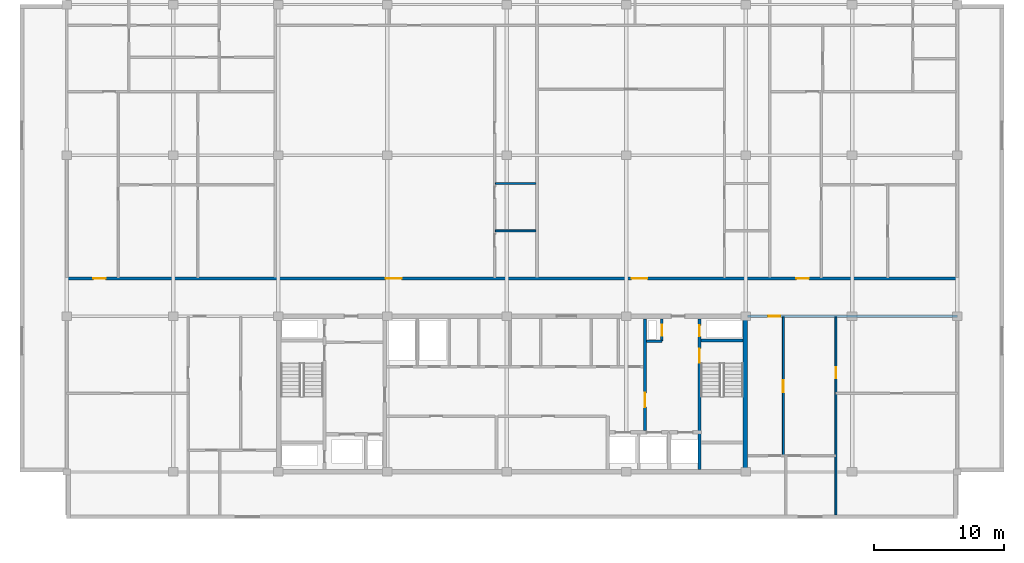
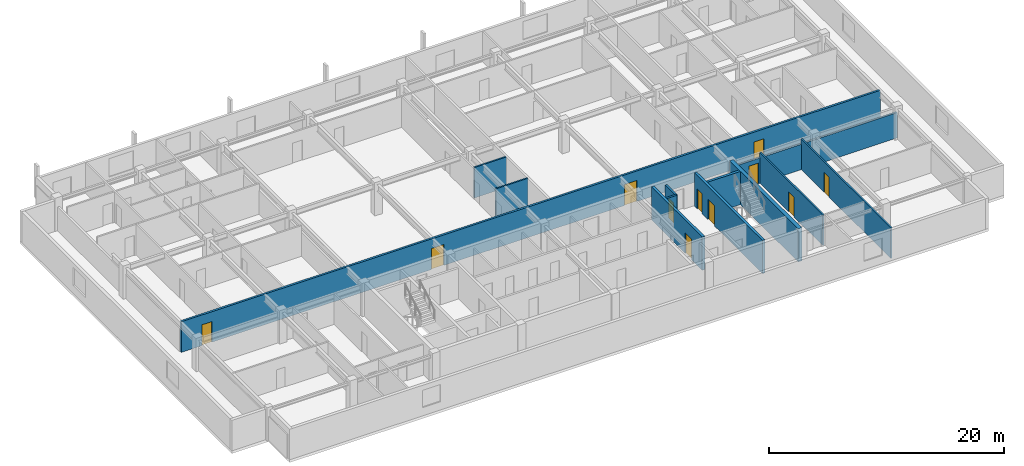
# One storey, part 5 of 10: 12 walls, 11 doors, 11 openings.
"""IFC4 building model written with IfcOpenShell, lengths in metres."""

import ifcopenshell
import ifcopenshell.guid

model = None  # the IFC model being written
_history = None  # IfcOwnerHistory: only IFC2X3 demands one
_inside = {}  # id of a spatial element -> (the spatial element, [elements in it])
_under = {}  # id of a project, library or spatial element -> (it, [spatial elements below it])
_declared = {}  # id of a project -> (the project, [libraries it declares])
_typed = {}  # id of a type object -> (the type object, [elements of that type])
_made_of = {}  # id of a material, layer set ... -> (it, [elements and type objects made of it])


def new_model(schema):
    """Start an empty IFC model of exactly this schema.

    Asked for "IFC4X3", IfcOpenShell would pick the latest addendum, in which some entities
    have other attributes; the version numbers below select the first issue.
    IFC2X3 requires an IfcOwnerHistory on every rooted entity: one is made here for all.
    """
    global model, _history
    if schema == "IFC4X3":
        model = ifcopenshell.file(schema_version=(4, 3, 0, 0))
    else:
        model = ifcopenshell.file(schema=schema)
    _inside.clear()
    _under.clear()
    _declared.clear()
    _typed.clear()
    _made_of.clear()
    _history = None
    if model.schema == "IFC2X3":
        org = make("IfcOrganization", Name="unknown")
        user = make(
            "IfcPersonAndOrganization",
            ThePerson=make("IfcPerson", FamilyName="unknown"),
            TheOrganization=org,
        )
        app = make(
            "IfcApplication",
            ApplicationDeveloper=org,
            Version="unknown",
            ApplicationFullName="unknown",
            ApplicationIdentifier="unknown",
        )
        _history = make(
            "IfcOwnerHistory",
            OwningUser=user,
            OwningApplication=app,
            ChangeAction="ADDED",
            CreationDate=0,
        )
    return model


def make(cls, **values):
    """One entity of the class cls with the attributes given. An attribute that is None is left unset."""
    return model.create_entity(
        cls, **{name: value for name, value in values.items() if value is not None}
    )


def rooted(cls, **values):
    """An entity with a GlobalId (a new one), such as an element, a storey or a relation."""
    return make(cls, GlobalId=ifcopenshell.guid.new(), OwnerHistory=_history, **values)


def si_unit(unit_type, name, prefix=None):
    """IfcSIUnit, for example si_unit("LENGTHUNIT", "METRE", prefix="MILLI")."""
    return make("IfcSIUnit", UnitType=unit_type, Prefix=prefix, Name=name)


def assignment(units):
    """IfcUnitAssignment: the units of a project."""
    return None if units is None else make("IfcUnitAssignment", Units=units)


def point(xyz):
    """IfcCartesianPoint."""
    return None if xyz is None else make("IfcCartesianPoint", Coordinates=xyz)


def direction(xyz):
    """IfcDirection."""
    return None if xyz is None else make("IfcDirection", DirectionRatios=xyz)


def frame(location, z_axis=None, x_axis=None):
    """IfcAxis2Placement3D, a coordinate frame: its origin and axes. An axis left out is left unset."""
    return make(
        "IfcAxis2Placement3D",
        Location=point(location),
        Axis=direction(z_axis),
        RefDirection=direction(x_axis),
    )


def frame_2d(location, x_axis=None):
    """IfcAxis2Placement2D, a coordinate frame in the plane: its origin and x axis."""
    return make(
        "IfcAxis2Placement2D", Location=point(location), RefDirection=direction(x_axis)
    )


def origin():
    """The frame at (0, 0, 0) with its axes left unset."""
    return frame((0.0, 0.0, 0.0))


def place(relative_to, where):
    """IfcLocalPlacement: puts the frame where relative to a parent placement (None: the world)."""
    return make(
        "IfcLocalPlacement", PlacementRelTo=relative_to, RelativePlacement=where
    )


def context(
    kind, dimensions, precision=None, world=None, true_north=None, identifier=None
):
    """IfcGeometricRepresentationContext, for example the 3D "Model" context."""
    return make(
        "IfcGeometricRepresentationContext",
        ContextIdentifier=identifier,
        ContextType=kind,
        CoordinateSpaceDimension=dimensions,
        Precision=precision,
        WorldCoordinateSystem=world,
        TrueNorth=true_north,
    )


def subcontext(parent, identifier, kind, view, scale=None):
    """IfcGeometricRepresentationSubContext, for example "Body" below "Model"."""
    return make(
        "IfcGeometricRepresentationSubContext",
        ContextIdentifier=identifier,
        ContextType=kind,
        ParentContext=parent,
        TargetScale=scale,
        TargetView=view,
    )


def project(units=None, contexts=None):
    """IfcProject with its units and contexts."""
    return rooted(
        "IfcProject",
        Name="project",
        RepresentationContexts=contexts,
        UnitsInContext=assignment(units),
    )


def spatial(cls, under=None, at=None, **own):
    """A site, building, storey or space (cls), placed at a placement, below another one or the project."""
    s = rooted(cls, ObjectPlacement=at, **own)
    if under is not None:
        _under.setdefault(under.id(), (under, []))[1].append(s)
    return s


def profile(cls, at=None, kind="AREA", **sizes):
    """A parametric profile (cls). Its sizes go by their IFC names, for example OverallWidth=200.0."""
    return make(cls, ProfileType=kind, Position=at, **sizes)


def rectangle(**sizes):
    """IfcRectangleProfileDef."""
    return profile("IfcRectangleProfileDef", **sizes)


def extrude(swept, where, along, depth):
    """IfcExtrudedAreaSolid: the profile swept, set in the frame where, extruded along a direction by depth."""
    return make(
        "IfcExtrudedAreaSolid",
        SweptArea=swept,
        Position=where,
        ExtrudedDirection=direction(along),
        Depth=depth,
    )


def shape(context_of_items, identifier, shape_type, items):
    """IfcShapeRepresentation: the items that make up one representation, for example the "Body"."""
    return make(
        "IfcShapeRepresentation",
        ContextOfItems=context_of_items,
        RepresentationIdentifier=identifier,
        RepresentationType=shape_type,
        Items=items,
    )


def material(Name=None, Category=None):
    """IfcMaterial."""
    return make("IfcMaterial", Name=Name, Category=Category)


def layer(
    of_material, thickness, ventilated=None, Name=None, Category=None, Priority=None
):
    """IfcMaterialLayer: one layer of a wall or slab, of a material (None: an air gap)."""
    return make(
        "IfcMaterialLayer",
        Material=of_material,
        LayerThickness=thickness,
        IsVentilated=ventilated,
        Name=Name,
        Category=Category,
        Priority=Priority,
    )


def layer_set(layers, Name=None):
    """IfcMaterialLayerSet."""
    return make("IfcMaterialLayerSet", MaterialLayers=layers, LayerSetName=Name)


def made_of(thing, what):
    """Note that an element or type object is made of a material, layer set ...; save() writes the relation."""
    if what is not None:
        _made_of.setdefault(what.id(), (what, []))[1].append(thing)
    return thing


def type_object(cls, material=None, **own):
    """A type object (cls), such as IfcWallType, which elements share."""
    return made_of(rooted(cls, **own), material)


def element(
    cls,
    number,
    at=None,
    inside=None,
    cuts=None,
    type_object=None,
    material=None,
    context=None,
    identifier="Body",
    shape_type=None,
    held_by="IfcProductDefinitionShape",
    body=None,
    shapes=None,
    **own,
):
    """One element of the class cls, such as IfcWall. Its Tag is "e" and its number.

    at: its placement. inside: the storey or other place that contains it. cuts: it is an
    opening in that element (IfcRelVoidsElement). A single representation is given by context,
    identifier, shape_type and body (its items); several are given by shapes. held_by: the class
    of the entity that holds the representations. save() writes the other relations.
    """
    e = rooted(cls, Tag="e%d" % number, ObjectPlacement=at, **own)
    if body is not None:
        shapes = [shape(context, identifier, shape_type, body)]
    if shapes is not None:
        e.Representation = make(held_by, Representations=shapes)
    if inside is not None:
        _inside.setdefault(inside.id(), (inside, []))[1].append(e)
    if cuts is not None:
        rooted(
            "IfcRelVoidsElement", RelatingBuildingElement=cuts, RelatedOpeningElement=e
        )
    if type_object is not None:
        _typed.setdefault(type_object.id(), (type_object, []))[1].append(e)
    return made_of(e, material)


def fill(opening, filler):
    """IfcRelFillsElement: the door or window that sits in an opening."""
    return rooted(
        "IfcRelFillsElement",
        RelatingOpeningElement=opening,
        RelatedBuildingElement=filler,
    )


def aggregate(whole, parts):
    """IfcRelAggregates: a whole, such as a stair, and the parts it consists of."""
    return rooted("IfcRelAggregates", RelatingObject=whole, RelatedObjects=parts)


def save(model, path):
    """Write the relations noted so far, then the file.

    IfcRelAggregates (storeys below a building ...), IfcRelContainedInSpatialStructure (elements
    in a storey), IfcRelDefinesByType, IfcRelAssociatesMaterial and IfcRelDeclares: one each for
    every whole, place, type object, material and project.
    """
    for whole, parts in _under.values():
        aggregate(whole, parts)
    for where, things in _inside.values():
        rooted(
            "IfcRelContainedInSpatialStructure",
            RelatedElements=things,
            RelatingStructure=where,
        )
    for kind, things in _typed.values():
        rooted("IfcRelDefinesByType", RelatedObjects=things, RelatingType=kind)
    for what, things in _made_of.values():
        rooted("IfcRelAssociatesMaterial", RelatedObjects=things, RelatingMaterial=what)
    for by, libraries in _declared.values():
        rooted("IfcRelDeclares", RelatingContext=by, RelatedDefinitions=libraries)
    model.write(path)


model = new_model("IFC4")

# Units and contexts
model_context = context("Model", 3, precision=1e-05, world=origin(), true_north=direction((0.0, 1.0)))
body_context = subcontext(model_context, "Body", "Model", "MODEL_VIEW")
ifc_project = project(units=[si_unit("LENGTHUNIT", "METRE"), si_unit("AREAUNIT", "SQUARE_METRE"), si_unit("VOLUMEUNIT", "CUBIC_METRE"), si_unit("PLANEANGLEUNIT", "RADIAN"), si_unit("MASSUNIT", "GRAM", prefix="KILO")], contexts=[model_context])

# Site, building, storey
site_placement = place(None, origin())
site = spatial("IfcSite", under=ifc_project, at=site_placement, CompositionType="ELEMENT")
building_placement = place(site_placement, origin())
building = spatial("IfcBuilding", under=site, at=building_placement, Name="Korimba Cascade Residences", CompositionType="ELEMENT")
storey_placement = place(building_placement, frame((0.0, 0.0, 242.449951171875)))
storey = spatial("IfcBuildingStorey", under=building, at=storey_placement, Name="L70", CompositionType="ELEMENT", Elevation=242.449951171875)

# Wall
ifc_material_1 = material(Name="Concrete C65/80", Category="concrete")
ifc_layer_1 = layer(ifc_material_1, 0.35009765625)
ifc_layer_set_1 = layer_set([ifc_layer_1], Name="Concrete C65/80")
wall_type_1 = type_object("IfcWallType", Name="WAL-CORE-350", PredefinedType="SHEAR", material=ifc_layer_set_1)
wall_1_placement = place(storey_placement, frame((112.074951171875, 55.375, 0.0), z_axis=(0.0, 0.0, 1.0), x_axis=(0.0, 1.0, 0.0)))
element("IfcWall", 1, at=wall_1_placement, inside=storey, type_object=wall_type_1, Name="L70 Core Shear Wall CW-L70-T1-E", PredefinedType="SHEAR", context=body_context, shape_type="SweptSolid", body=[
    extrude(rectangle(XDim=11.64990234375, YDim=0.35009765625, at=frame_2d((5.824951171875, 0.0))), origin(), (0.0, 0.0, 1.0), 3.449951171875),
])

# Wall, opening, door
ifc_material_2 = material(Name="Precast concrete C40/50", Category="concrete")
ifc_layer_2 = layer(ifc_material_2, 0.199951171875)
ifc_layer_set_2 = layer_set([ifc_layer_2], Name="Precast concrete C40/50")
wall_type_2 = type_object("IfcWallType", Name="WAL-IT-200", PredefinedType="PARTITIONING", material=ifc_layer_set_2)
wall_2_placement = place(storey_placement, frame((112.25, 67.199951171875, 0.0), z_axis=(0.0, 0.0, 1.0), x_axis=(1.0, 0.0, 0.0)))
wall_2 = element("IfcWall", 2, at=wall_2_placement, inside=storey, type_object=wall_type_2, Name="L70 Partition Wall WAL-L70-T1-FE-N", PredefinedType="PARTITIONING", context=body_context, shape_type="SweptSolid", body=[
    extrude(rectangle(XDim=16.14990234375, YDim=0.199951171875, at=frame_2d((8.074951171875, 0.0))), origin(), (0.0, 0.0, 1.0), 2.63330078125),
])
opening_1_placement = place(wall_2_placement, frame((1.580078125, 0.0, 0.0)))
opening_1 = element("IfcOpeningElement", 3, at=opening_1_placement, cuts=wall_2, Name="Opening D-UN1", PredefinedType="OPENING", context=body_context, shape_type="SweptSolid", body=[
    extrude(rectangle(XDim=0.949951171875, YDim=2.14990234375, at=frame_2d((0.47509765625, 1.074951171875))), frame((0.0, 0.10986328125, 0.0), z_axis=(0.0, -1.0, 0.0), x_axis=(1.0, 0.0, 0.0)), (0.0, 0.0, 1.0), 0.219970703125),
])
ifc_material_3 = material(Name="Fire-Rated Hardwood Apartment Entrance Door", Category="wood")
door_type_1 = type_object("IfcDoorType", Name="DR-FD60-950", OperationType="NOTDEFINED", PredefinedType="DOOR", material=ifc_material_3)
door_1_placement = place(opening_1_placement, origin())
door_1 = element("IfcDoor", 4, at=door_1_placement, inside=storey, type_object=door_type_1, Name="L70-T1-FE Entrance Door", OperationType="SINGLE_SWING_LEFT", OverallHeight=2.14990234375, OverallWidth=0.949951171875, PredefinedType="DOOR", context=body_context, shape_type="SweptSolid", body=[
    extrude(rectangle(XDim=0.949951171875, YDim=2.14990234375, at=frame_2d((0.47509765625, 1.074951171875))), frame((0.0, 0.02490234375, 0.0), z_axis=(0.0, -1.0, 0.0), x_axis=(1.0, 0.0, 0.0)), (0.0, 0.0, 1.0), 0.050048828125),
])
fill(opening_1, door_1)

# Wall, openings, doors
wall_3_placement = place(storey_placement, frame((59.800048828125, 70.10009765625, 0.0), z_axis=(0.0, 0.0, 1.0), x_axis=(1.0, 0.0, 0.0)))
wall_3 = element("IfcWall", 5, at=wall_3_placement, inside=storey, type_object=wall_type_2, Name="L70 Partition Wall WAL-L70-T1-CORN", PredefinedType="PARTITIONING", context=body_context, shape_type="SweptSolid", body=[
    extrude(rectangle(XDim=68.599853515625, YDim=0.199951171875, at=frame_2d((34.2998046875, 0.0))), origin(), (0.0, 0.0, 1.0), 3.170166015625),
])
opening_2_placement = place(wall_3_placement, frame((2.044921875, 0.0, 0.0)))
opening_2 = element("IfcOpeningElement", 6, at=opening_2_placement, cuts=wall_3, Name="Opening D-UN1", PredefinedType="OPENING", context=body_context, shape_type="SweptSolid", body=[
    extrude(rectangle(XDim=0.949951171875, YDim=2.14990234375, at=frame_2d((0.47509765625, 1.074951171875))), frame((0.0, 0.10986328125, 0.0), z_axis=(0.0, -1.0, 0.0), x_axis=(1.0, 0.0, 0.0)), (0.0, 0.0, 1.0), 0.219970703125),
])
opening_3_placement = place(wall_3_placement, frame((24.569580078125, 0.0, 0.0)))
opening_3 = element("IfcOpeningElement", 7, at=opening_3_placement, cuts=wall_3, Name="Opening D-AM1", PredefinedType="OPENING", context=body_context, shape_type="SweptSolid", body=[
    extrude(rectangle(XDim=1.219970703125, YDim=2.179931640625, at=frame_2d((0.60986328125, 1.08984375))), frame((0.0, 0.10986328125, 0.0), z_axis=(0.0, -1.0, 0.0), x_axis=(1.0, 0.0, 0.0)), (0.0, 0.0, 1.0), 0.219970703125),
])
opening_4_placement = place(wall_3_placement, frame((43.506591796875, 0.0, 0.0)))
opening_4 = element("IfcOpeningElement", 8, at=opening_4_placement, cuts=wall_3, Name="Opening D-AM1", PredefinedType="OPENING", context=body_context, shape_type="SweptSolid", body=[
    extrude(rectangle(XDim=1.219970703125, YDim=2.179931640625, at=frame_2d((0.60986328125, 1.08984375))), frame((0.0, 0.10986328125, 0.0), z_axis=(0.0, -1.0, 0.0), x_axis=(1.0, 0.0, 0.0)), (0.0, 0.0, 1.0), 0.219970703125),
])
opening_5_placement = place(wall_3_placement, frame((56.2138671875, 0.0, 0.0)))
opening_5 = element("IfcOpeningElement", 9, at=opening_5_placement, cuts=wall_3, Name="Opening D-UN1", PredefinedType="OPENING", context=body_context, shape_type="SweptSolid", body=[
    extrude(rectangle(XDim=0.949951171875, YDim=2.14990234375, at=frame_2d((0.47509765625, 1.074951171875))), frame((0.0, 0.10986328125, 0.0), z_axis=(0.0, -1.0, 0.0), x_axis=(1.0, 0.0, 0.0)), (0.0, 0.0, 1.0), 0.219970703125),
])
ifc_material_4 = material(Name="Fire-Rated Glazed Timber Suite Door", Category="wood")
door_type_2 = type_object("IfcDoorType", Name="DR-FD60-1200", OperationType="NOTDEFINED", PredefinedType="DOOR", material=ifc_material_4)
door_2_placement = place(opening_3_placement, origin())
door_2 = element("IfcDoor", 10, at=door_2_placement, inside=storey, type_object=door_type_2, Name="L70-T1-U02 Executive Co-Working Office Door", OperationType="SINGLE_SWING_RIGHT", OverallHeight=2.179931640625, OverallWidth=1.219970703125, PredefinedType="DOOR", context=body_context, shape_type="SweptSolid", body=[
    extrude(rectangle(XDim=1.219970703125, YDim=2.179931640625, at=frame_2d((0.60986328125, 1.08984375))), frame((0.0, 0.02490234375, 0.0), z_axis=(0.0, -1.0, 0.0), x_axis=(1.0, 0.0, 0.0)), (0.0, 0.0, 1.0), 0.050048828125),
])
fill(opening_3, door_2)
door_3_placement = place(opening_4_placement, origin())
door_3 = element("IfcDoor", 11, at=door_3_placement, inside=storey, type_object=door_type_2, Name="L70-T1-U03 Health Consultation Clinic Door", OperationType="SINGLE_SWING_LEFT", OverallHeight=2.179931640625, OverallWidth=1.219970703125, PredefinedType="DOOR", context=body_context, shape_type="SweptSolid", body=[
    extrude(rectangle(XDim=1.219970703125, YDim=2.179931640625, at=frame_2d((0.60986328125, 1.08984375))), frame((0.0, 0.02490234375, 0.0), z_axis=(0.0, -1.0, 0.0), x_axis=(1.0, 0.0, 0.0)), (0.0, 0.0, 1.0), 0.050048828125),
])
fill(opening_4, door_3)
door_4_placement = place(opening_2_placement, origin())
door_4 = element("IfcDoor", 12, at=door_4_placement, inside=storey, type_object=door_type_1, Name="Unit L70-T1-U01 Entrance Door", OperationType="SINGLE_SWING_LEFT", OverallHeight=2.14990234375, OverallWidth=0.949951171875, PredefinedType="DOOR", context=body_context, shape_type="SweptSolid", body=[
    extrude(rectangle(XDim=0.949951171875, YDim=2.14990234375, at=frame_2d((0.47509765625, 1.074951171875))), frame((0.0, 0.02490234375, 0.0), z_axis=(0.0, -1.0, 0.0), x_axis=(1.0, 0.0, 0.0)), (0.0, 0.0, 1.0), 0.050048828125),
])
fill(opening_2, door_4)
door_5_placement = place(opening_5_placement, origin())
door_5 = element("IfcDoor", 13, at=door_5_placement, inside=storey, type_object=door_type_1, Name="Unit L70-T1-U04 Entrance Door", OperationType="SINGLE_SWING_RIGHT", OverallHeight=2.14990234375, OverallWidth=0.949951171875, PredefinedType="DOOR", context=body_context, shape_type="SweptSolid", body=[
    extrude(rectangle(XDim=0.949951171875, YDim=2.14990234375, at=frame_2d((0.47509765625, 1.074951171875))), frame((0.0, 0.02490234375, 0.0), z_axis=(0.0, -1.0, 0.0), x_axis=(1.0, 0.0, 0.0)), (0.0, 0.0, 1.0), 0.050048828125),
])
fill(opening_5, door_5)

# Wall, opening, door
ifc_material_5 = material(Name="Insulated Acoustic Stud Partition", Category="gypsum")
ifc_layer_3 = layer(ifc_material_5, 0.14990234375)
ifc_layer_set_3 = layer_set([ifc_layer_3], Name="Insulated Acoustic Stud Partition")
wall_type_3 = type_object("IfcWallType", Name="WAL-PART-150", PredefinedType="PARTITIONING", material=ifc_layer_set_3)
wall_4_placement = place(storey_placement, frame((119.050048828125, 51.89990234375, 0.0), z_axis=(0.0, 0.0, 1.0), x_axis=(0.0, 1.0, 0.0)))
wall_4 = element("IfcWall", 14, at=wall_4_placement, inside=storey, type_object=wall_type_3, Name="L70 Partition Wall WAL-L70-T1-FE-STV", PredefinedType="PARTITIONING", context=body_context, shape_type="SweptSolid", body=[
    extrude(rectangle(XDim=15.25, YDim=0.14990234375, at=frame_2d((7.625, 0.0))), origin(), (0.0, 0.0, 1.0), 3.170166015625),
])
opening_6_placement = place(wall_4_placement, frame((10.5, 0.0, 0.0)))
opening_6 = element("IfcOpeningElement", 15, at=opening_6_placement, cuts=wall_4, Name="Opening D-IN2", PredefinedType="OPENING", context=body_context, shape_type="SweptSolid", body=[
    extrude(rectangle(XDim=0.8798828125, YDim=2.06005859375, at=frame_2d((0.43994140625, 1.030029296875))), frame((0.0, 0.0849609375, 0.0), z_axis=(0.0, -1.0, 0.0), x_axis=(1.0, 0.0, 0.0)), (0.0, 0.0, 1.0), 0.169921875),
])
ifc_material_6 = material(Name="Acoustic Timber Bedroom Door", Category="wood")
door_type_3 = type_object("IfcDoorType", Name="DR-INT-880", OperationType="NOTDEFINED", PredefinedType="DOOR", material=ifc_material_6)
door_6_placement = place(opening_6_placement, origin())
door_6 = element("IfcDoor", 16, at=door_6_placement, inside=storey, type_object=door_type_3, Name="L70-T1-FE Study Door", OperationType="SINGLE_SWING_LEFT", OverallHeight=2.06005859375, OverallWidth=0.8798828125, PredefinedType="DOOR", context=body_context, shape_type="SweptSolid", body=[
    extrude(rectangle(XDim=0.8798828125, YDim=2.06005859375, at=frame_2d((0.43994140625, 1.030029296875))), frame((0.0, 0.02490234375, 0.0), z_axis=(0.0, -1.0, 0.0), x_axis=(1.0, 0.0, 0.0)), (0.0, 0.0, 1.0), 0.050048828125),
])
fill(opening_6, door_6)

wall_5_placement = place(storey_placement, frame((115.0, 56.449951171875, 0.0), z_axis=(0.0, 0.0, 1.0), x_axis=(0.0, 1.0, 0.0)))
wall_5 = element("IfcWall", 17, at=wall_5_placement, inside=storey, type_object=wall_type_3, Name="L70 Partition Wall WAL-L70-T1-FE-VN", PredefinedType="PARTITIONING", context=body_context, shape_type="SweptSolid", body=[
    extrude(rectangle(XDim=10.699951171875, YDim=0.14990234375, at=frame_2d((5.35009765625, 0.0))), origin(), (0.0, 0.0, 1.0), 3.170166015625),
])
opening_7_placement = place(wall_5_placement, frame((4.889892578125, 0.0, 0.0)))
opening_7 = element("IfcOpeningElement", 18, at=opening_7_placement, cuts=wall_5, Name="Opening D-IN1", PredefinedType="OPENING", context=body_context, shape_type="SweptSolid", body=[
    extrude(rectangle(XDim=0.919921875, YDim=2.080078125, at=frame_2d((0.4599609375, 1.0400390625))), frame((0.0, 0.0849609375, 0.0), z_axis=(0.0, -1.0, 0.0), x_axis=(1.0, 0.0, 0.0)), (0.0, 0.0, 1.0), 0.169921875),
])
ifc_material_7 = material(Name="Acoustic Timber Living Door", Category="wood")
door_type_4 = type_object("IfcDoorType", Name="DR-INT-920", OperationType="NOTDEFINED", PredefinedType="DOOR", material=ifc_material_7)
door_7_placement = place(opening_7_placement, origin())
door_7 = element("IfcDoor", 19, at=door_7_placement, inside=storey, type_object=door_type_4, Name="L70-T1-FE Living Door", OperationType="SINGLE_SWING_RIGHT", OverallHeight=2.080078125, OverallWidth=0.919921875, PredefinedType="DOOR", context=body_context, shape_type="SweptSolid", body=[
    extrude(rectangle(XDim=0.919921875, YDim=2.080078125, at=frame_2d((0.4599609375, 1.0400390625))), frame((0.0, 0.02490234375, 0.0), z_axis=(0.0, -1.0, 0.0), x_axis=(1.0, 0.0, 0.0)), (0.0, 0.0, 1.0), 0.050048828125),
])
fill(opening_7, door_7)

# Walls
for number, where, z_axis, x_axis, name in (
    (20, (92.814208984375, 73.77001953125, 0.0), (0.0, 0.0, 1.0), (1.0, 0.0, 0.0), "L70 Partition Wall WAL-L70-T1-U02-WCH"),
    (21, (92.814208984375, 77.419921875, 0.0), (0.0, 0.0, 1.0), (1.0, 0.0, 0.0), "L70 Partition Wall WAL-L70-T1-U02-WCH2"),
):
    element("IfcWall", number, at=place(storey_placement, frame(where, z_axis=z_axis, x_axis=x_axis)), inside=storey, type_object=wall_type_3, Name=name, PredefinedType="PARTITIONING", context=body_context, shape_type="SweptSolid", body=[
        extrude(rectangle(XDim=3.130126953125, YDim=0.14990234375, at=frame_2d((1.56494140625, 0.0))), origin(), (0.0, 0.0, 1.0), 3.170166015625),
    ])
ifc_material_8 = material(Name="Concrete C40/50", Category="concrete")
ifc_layer_4 = layer(ifc_material_8, 0.199951171875)
ifc_layer_set_4 = layer_set([ifc_layer_4], Name="Concrete C40/50")
wall_type_4 = type_object("IfcWallType", Name="WAL-PART-200", PredefinedType="PARTITIONING", material=ifc_layer_set_4)
wall_6_placement = place(storey_placement, frame((104.449951171875, 65.280029296875, 0.0), z_axis=(0.0, 0.0, 1.0), x_axis=(1.0, 0.0, 0.0)))
element("IfcWall", 22, at=wall_6_placement, inside=storey, type_object=wall_type_4, Name="L70 Partition Wall CW-L70-T1-HYDW2S", PredefinedType="PARTITIONING", context=body_context, shape_type="SweptSolid", body=[
    extrude(rectangle(XDim=1.199951171875, YDim=0.199951171875, at=frame_2d((0.60009765625, 0.0))), origin(), (0.0, 0.0, 1.0), 3.170166015625),
])

# Wall, opening, door
wall_7_placement = place(storey_placement, frame((105.64990234375, 65.280029296875, 0.0), z_axis=(0.0, 0.0, 1.0), x_axis=(0.0, 1.0, 0.0)))
wall_7 = element("IfcWall", 23, at=wall_7_placement, inside=storey, type_object=wall_type_4, Name="L70 Partition Wall CW-L70-T1-HYDW2E", PredefinedType="PARTITIONING", context=body_context, shape_type="SweptSolid", body=[
    extrude(rectangle(XDim=1.719970703125, YDim=0.199951171875, at=frame_2d((0.85986328125, 0.0))), origin(), (0.0, 0.0, 1.0), 3.170166015625),
])
opening_8_placement = place(wall_7_placement, frame((0.39990234375, 0.0, 0.0)))
opening_8 = element("IfcOpeningElement", 24, at=opening_8_placement, cuts=wall_7, Name="Opening D-RS1", PredefinedType="OPENING", context=body_context, shape_type="SweptSolid", body=[
    extrude(rectangle(XDim=0.85009765625, YDim=2.050048828125, at=frame_2d((0.425048828125, 1.02490234375))), frame((0.0, 0.10986328125, 0.0), z_axis=(0.0, -1.0, 0.0), x_axis=(1.0, 0.0, 0.0)), (0.0, 0.0, 1.0), 0.219970703125),
])
ifc_material_9 = material(Name="Fire-Rated Steel Riser Access Door", Category="steel")
door_type_5 = type_object("IfcDoorType", Name="DR-FD60-850", OperationType="NOTDEFINED", PredefinedType="DOOR", material=ifc_material_9)
door_8_placement = place(opening_8_placement, origin())
door_8 = element("IfcDoor", 25, at=door_8_placement, inside=storey, type_object=door_type_5, Name="L70 East Hydrant Door", OperationType="SINGLE_SWING_RIGHT", OverallHeight=2.050048828125, OverallWidth=0.85009765625, PredefinedType="DOOR", context=body_context, shape_type="SweptSolid", body=[
    extrude(rectangle(XDim=0.85009765625, YDim=2.050048828125, at=frame_2d((0.425048828125, 1.02490234375))), frame((0.0, 0.02490234375, 0.0), z_axis=(0.0, -1.0, 0.0), x_axis=(1.0, 0.0, 0.0)), (0.0, 0.0, 1.0), 0.050048828125),
])
fill(opening_8, door_8)

ifc_material_10 = material(Name="Concrete C50/60", Category="concrete")
ifc_layer_5 = layer(ifc_material_10, 0.25)
ifc_layer_set_5 = layer_set([ifc_layer_5], Name="Concrete C50/60")
wall_type_5 = type_object("IfcWallType", Name="WAL-SHAFT-250", PredefinedType="SHEAR", material=ifc_layer_set_5)
wall_8_placement = place(storey_placement, frame((104.35009765625, 58.39990234375, 0.0), z_axis=(0.0, 0.0, 1.0), x_axis=(0.0, 1.0, 0.0)))
wall_8 = element("IfcWall", 26, at=wall_8_placement, inside=storey, type_object=wall_type_5, Name="L70 Core Shear Wall CW-L70-T1-LLEV", PredefinedType="SHEAR", context=body_context, shape_type="SweptSolid", body=[
    extrude(rectangle(XDim=8.60009765625, YDim=0.25, at=frame_2d((4.300048828125, 0.0))), origin(), (0.0, 0.0, 1.0), 3.449951171875),
])
opening_9_placement = place(wall_8_placement, frame((1.800048828125, 0.0, 0.0)))
opening_9 = element("IfcOpeningElement", 27, at=opening_9_placement, cuts=wall_8, Name="Opening D-FD1", PredefinedType="OPENING", context=body_context, shape_type="SweptSolid", body=[
    extrude(rectangle(XDim=1.10009765625, YDim=2.10009765625, at=frame_2d((0.550048828125, 1.050048828125))), frame((0.0, 0.135009765625, 0.0), z_axis=(0.0, -1.0, 0.0), x_axis=(1.0, 0.0, 0.0)), (0.0, 0.0, 1.0), 0.27001953125),
])
ifc_material_11 = material(Name="Fire-Rated Steel Core Door", Category="steel")
door_type_6 = type_object("IfcDoorType", Name="DR-FD120-1100", OperationType="NOTDEFINED", PredefinedType="DOOR", material=ifc_material_11)
door_9_placement = place(opening_9_placement, origin())
door_9 = element("IfcDoor", 28, at=door_9_placement, inside=storey, type_object=door_type_6, Name="L70 Lift Lobby to East Firefighting Lobby Door", OperationType="SINGLE_SWING_LEFT", OverallHeight=2.10009765625, OverallWidth=1.10009765625, PredefinedType="DOOR", context=body_context, shape_type="SweptSolid", body=[
    extrude(rectangle(XDim=1.10009765625, YDim=2.10009765625, at=frame_2d((0.550048828125, 1.050048828125))), frame((0.0, 0.02490234375, 0.0), z_axis=(0.0, -1.0, 0.0), x_axis=(1.0, 0.0, 0.0)), (0.0, 0.0, 1.0), 0.050048828125),
])
fill(opening_9, door_9)

# Wall, openings, doors
wall_9_placement = place(storey_placement, frame((108.534912109375, 55.39990234375, 0.0), z_axis=(0.0, 0.0, 1.0), x_axis=(0.0, 1.0, 0.0)))
wall_9 = element("IfcWall", 29, at=wall_9_placement, inside=storey, type_object=wall_type_5, Name="L70 Core Shear Wall CW-L70-T1-STW2W", PredefinedType="SHEAR", context=body_context, shape_type="SweptSolid", body=[
    extrude(rectangle(XDim=11.60009765625, YDim=0.25, at=frame_2d((5.800048828125, 0.0))), origin(), (0.0, 0.0, 1.0), 3.449951171875),
])
opening_10_placement = place(wall_9_placement, frame((8.199951171875, 0.0, 0.0)))
opening_10 = element("IfcOpeningElement", 30, at=opening_10_placement, cuts=wall_9, Name="Opening D-FD1", PredefinedType="OPENING", context=body_context, shape_type="SweptSolid", body=[
    extrude(rectangle(XDim=1.10009765625, YDim=2.10009765625, at=frame_2d((0.550048828125, 1.050048828125))), frame((0.0, 0.135009765625, 0.0), z_axis=(0.0, -1.0, 0.0), x_axis=(1.0, 0.0, 0.0)), (0.0, 0.0, 1.0), 0.27001953125),
])
opening_11_placement = place(wall_9_placement, frame((10.25, 0.0, 0.0)))
opening_11 = element("IfcOpeningElement", 31, at=opening_11_placement, cuts=wall_9, Name="Opening D-RS1", PredefinedType="OPENING", context=body_context, shape_type="SweptSolid", body=[
    extrude(rectangle(XDim=0.85009765625, YDim=2.050048828125, at=frame_2d((0.425048828125, 1.02490234375))), frame((0.0, 0.135009765625, 0.0), z_axis=(0.0, -1.0, 0.0), x_axis=(1.0, 0.0, 0.0)), (0.0, 0.0, 1.0), 0.27001953125),
])
door_10_placement = place(opening_10_placement, origin())
door_10 = element("IfcDoor", 32, at=door_10_placement, inside=storey, type_object=door_type_6, Name="L70 Fire Stair ST-W2 Door", OperationType="SINGLE_SWING_RIGHT", OverallHeight=2.10009765625, OverallWidth=1.10009765625, PredefinedType="DOOR", context=body_context, shape_type="SweptSolid", body=[
    extrude(rectangle(XDim=1.10009765625, YDim=2.10009765625, at=frame_2d((0.550048828125, 1.050048828125))), frame((0.0, 0.02490234375, 0.0), z_axis=(0.0, -1.0, 0.0), x_axis=(1.0, 0.0, 0.0)), (0.0, 0.0, 1.0), 0.050048828125),
])
fill(opening_10, door_10)
door_11_placement = place(opening_11_placement, origin())
door_11 = element("IfcDoor", 33, at=door_11_placement, inside=storey, type_object=door_type_5, Name="L70 East Riser Door", OperationType="SINGLE_SWING_LEFT", OverallHeight=2.050048828125, OverallWidth=0.85009765625, PredefinedType="DOOR", context=body_context, shape_type="SweptSolid", body=[
    extrude(rectangle(XDim=0.85009765625, YDim=2.050048828125, at=frame_2d((0.425048828125, 1.02490234375))), frame((0.0, 0.02490234375, 0.0), z_axis=(0.0, -1.0, 0.0), x_axis=(1.0, 0.0, 0.0)), (0.0, 0.0, 1.0), 0.050048828125),
])
fill(opening_11, door_11)

# Wall
wall_10_placement = place(storey_placement, frame((108.659912109375, 65.324951171875, 0.0), z_axis=(0.0, 0.0, 1.0), x_axis=(1.0, 0.0, 0.0)))
element("IfcWall", 34, at=wall_10_placement, inside=storey, type_object=wall_type_5, Name="L70 Core Shear Wall CW-L70-T1-STW2N", PredefinedType="SHEAR", context=body_context, shape_type="SweptSolid", body=[
    extrude(rectangle(XDim=3.239990234375, YDim=0.25, at=frame_2d((1.6201171875, 0.0))), origin(), (0.0, 0.0, 1.0), 3.449951171875),
])

save(model, "model.ifc")
